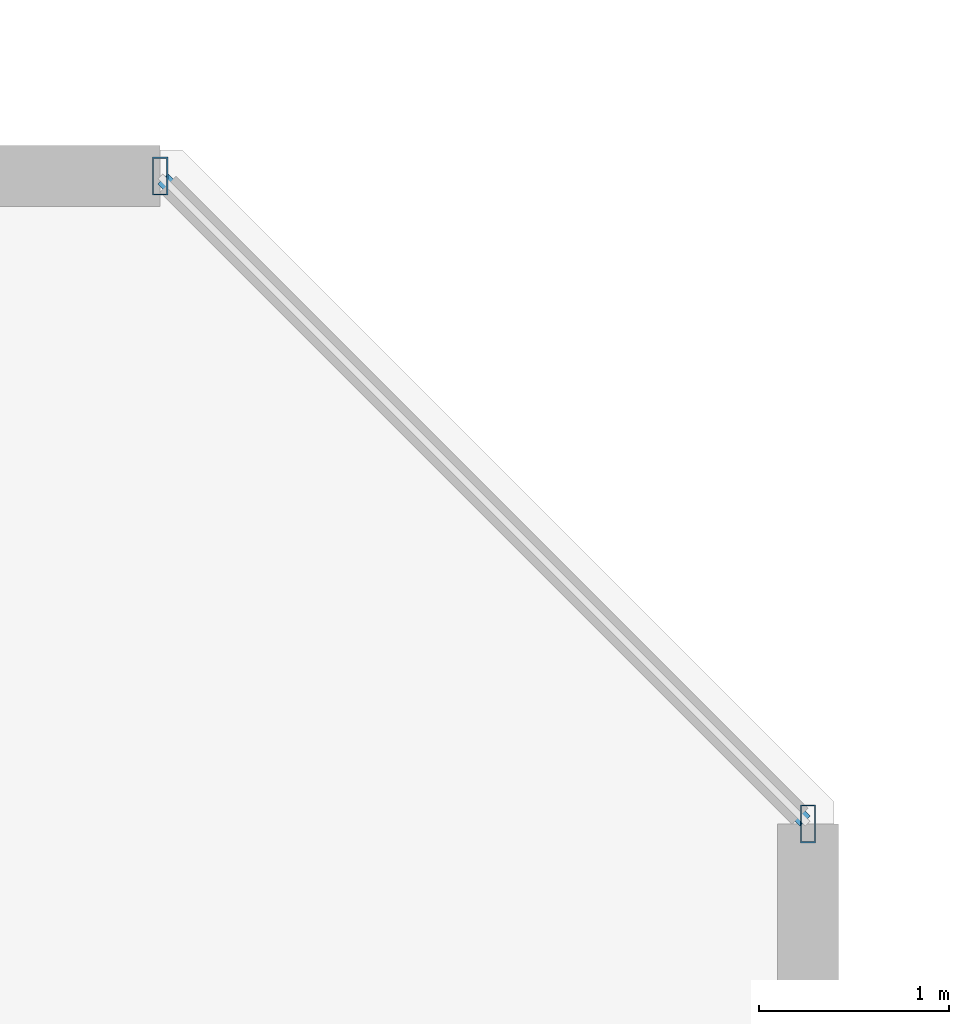
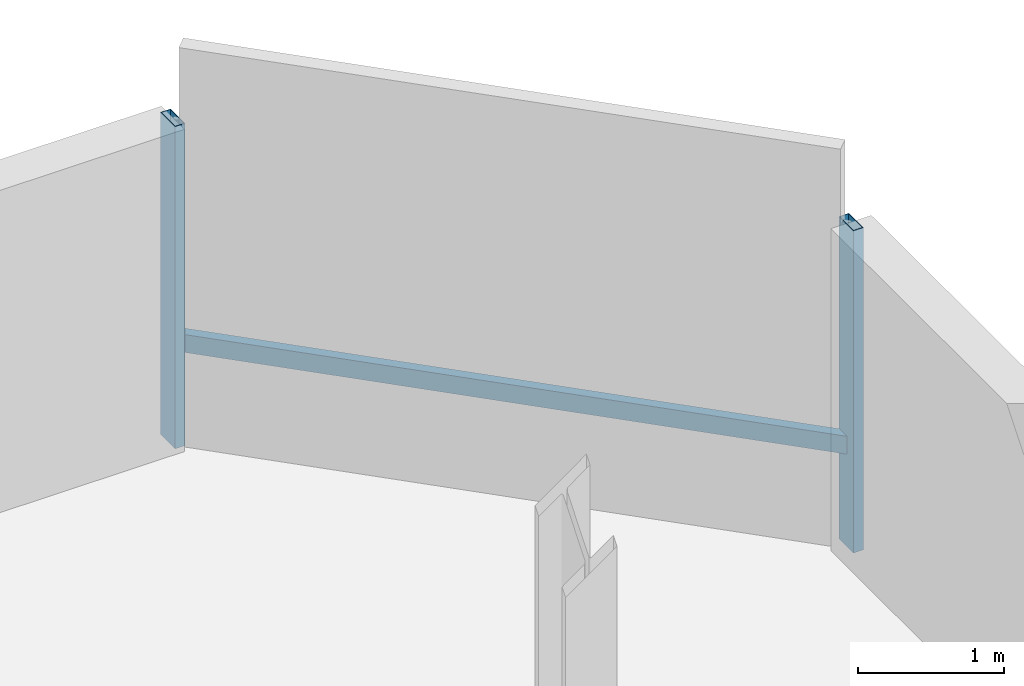
# One storey, part 10 of 33: 3 members, 1 element without a shape of its own.
"""IFC4 building model written with IfcOpenShell, lengths in metres."""

from ifc_helpers import new_model, si_unit, direction, frame, origin, origin_2d, place, context, subcontext, project, spatial, hollow_rectangle, extrude, material, material_profile, profile_set, type_object, element, aggregate, save


model = new_model("IFC4")

# Units and contexts
model_context = context("Model", 3, precision=1e-05, world=origin(), true_north=direction((0.0, 1.0)))
body_context = subcontext(model_context, "Body", "Model", "MODEL_VIEW")
ifc_project = project(units=[si_unit("LENGTHUNIT", "METRE"), si_unit("AREAUNIT", "SQUARE_METRE"), si_unit("VOLUMEUNIT", "CUBIC_METRE"), si_unit("PLANEANGLEUNIT", "RADIAN"), si_unit("MASSUNIT", "GRAM", prefix="KILO")], contexts=[model_context])

# Site, building, storey
site_placement = place(None, origin())
site = spatial("IfcSite", under=ifc_project, at=site_placement, CompositionType="ELEMENT")
building_placement = place(site_placement, origin())
building = spatial("IfcBuilding", under=site, at=building_placement, Name="Thornwick Lancets Civic Towers", CompositionType="ELEMENT")
storey_placement = place(building_placement, frame((0.0, 0.0, 159.89990234375)))
storey = spatial("IfcBuildingStorey", under=building, at=storey_placement, Name="L42", CompositionType="ELEMENT", Elevation=159.89990234375)

# Curtain wall, members
ifc_material_1 = material(Name="Mid-zone chamfered-corner unitised glass curtain wall", Category="glass")
curtain_wall_type = type_object("IfcCurtainWallType", Name="CW_SYS_04", PredefinedType="NOTDEFINED", material=ifc_material_1)
curtain_wall_placement = place(storey_placement, origin())
curtain_wall = element("IfcCurtainWall", 1, at=curtain_wall_placement, inside=storey, type_object=curtain_wall_type, Name="L42 Curtain Wall CW-L42-A-E3", PredefinedType="NOTDEFINED")
ifc_material_2 = material(Name="Thermally broken bronze aluminium S355", Category="steel")
ifc_material_profile_1 = material_profile(ifc_material_2, hollow_rectangle(XDim=0.080078125, YDim=0.199951171875, WallThickness=0.006103515625, at=origin_2d()), Name="RHS 200x80x6")
ifc_profile_set_1 = profile_set([ifc_material_profile_1], Name="Thermally broken bronze aluminium S355")
member_type_1 = type_object("IfcMemberType", Name="CW_MUL_200", PredefinedType="MULLION", material=ifc_profile_set_1)
member_1_placement = place(storey_placement, frame((49.261962890625, 41.353515625, 0.0), z_axis=(0.0, 0.0, 1.0), x_axis=(1.0, 0.0, 0.0)))
member_1 = element("IfcMember", 2, at=member_1_placement, type_object=member_type_1, Name="CW-L42-A-E3 Mullion 0", PredefinedType="MULLION", context=body_context, shape_type="SweptSolid", body=[
    extrude(hollow_rectangle(XDim=0.080078125, YDim=0.199951171875, WallThickness=0.006103515625, at=origin_2d()), origin(), (0.0, 0.0, 1.0), 2.7001953125),
])
member_2_placement = place(storey_placement, frame((45.853515625, 44.761962890625, 0.0), z_axis=(0.0, 0.0, 1.0), x_axis=(1.0, 0.0, 0.0)))
member_2 = element("IfcMember", 3, at=member_2_placement, type_object=member_type_1, Name="CW-L42-A-E3 Mullion 1", PredefinedType="MULLION", context=body_context, shape_type="SweptSolid", body=[
    extrude(hollow_rectangle(XDim=0.080078125, YDim=0.199951171875, WallThickness=0.006103515625, at=origin_2d()), origin(), (0.0, 0.0, 1.0), 2.7001953125),
])
ifc_material_profile_2 = material_profile(ifc_material_2, hollow_rectangle(XDim=0.074951171875, YDim=0.14990234375, WallThickness=0.0048828125, at=origin_2d()), Name="RHS 150x75x5")
ifc_profile_set_2 = profile_set([ifc_material_profile_2], Name="Thermally broken bronze aluminium S355")
member_type_2 = type_object("IfcMemberType", Name="CW_TRN_150", PredefinedType="USERDEFINED", material=ifc_profile_set_2)
member_3_placement = place(storey_placement, frame((49.247802734375, 41.36767578125, 0.85009765625), z_axis=(-0.707106781187, 0.707106781187, 0.0), x_axis=(-0.707106781187, -0.707106781187, 0.0)))
member_3 = element("IfcMember", 4, at=member_3_placement, type_object=member_type_2, Name="CW-L42-A-E3 Transom 0", ObjectType="TRANSOM", PredefinedType="USERDEFINED", context=body_context, shape_type="SweptSolid", body=[
    extrude(hollow_rectangle(XDim=0.074951171875, YDim=0.14990234375, WallThickness=0.0048828125, at=origin_2d()), origin(), (0.0, 0.0, 1.0), 4.7802734375),
])
aggregate(curtain_wall, [member_1, member_2, member_3])

save(model, "model.ifc")
